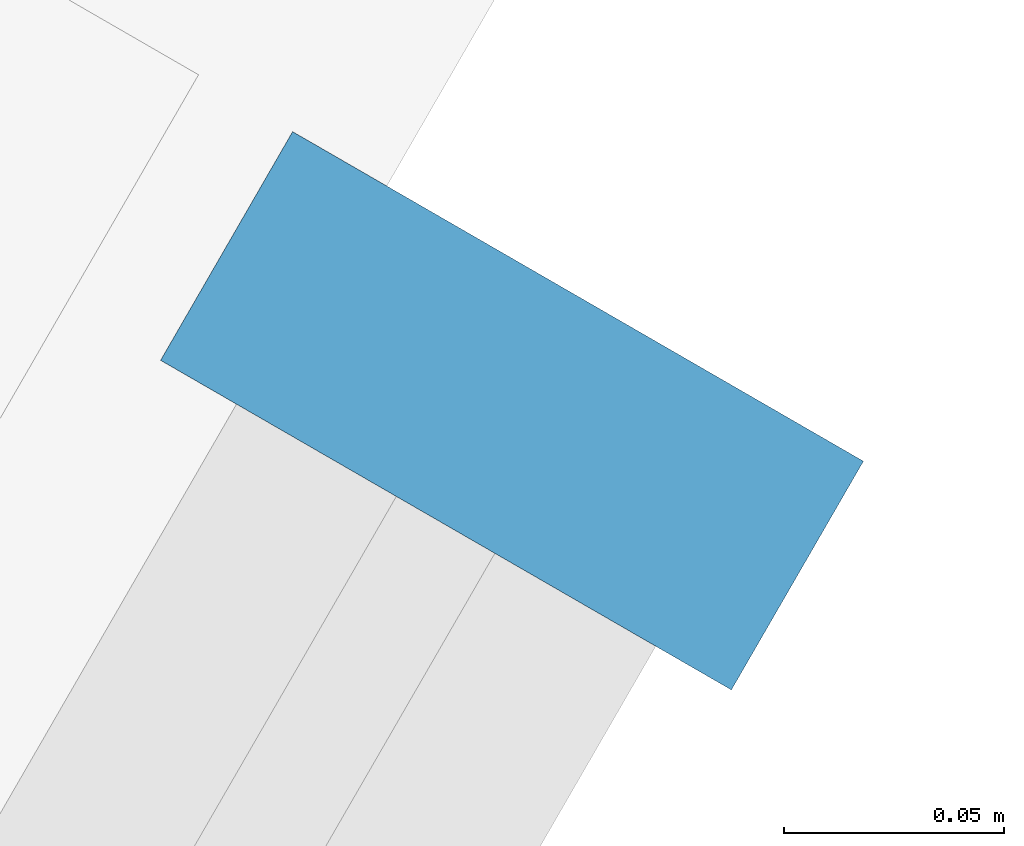
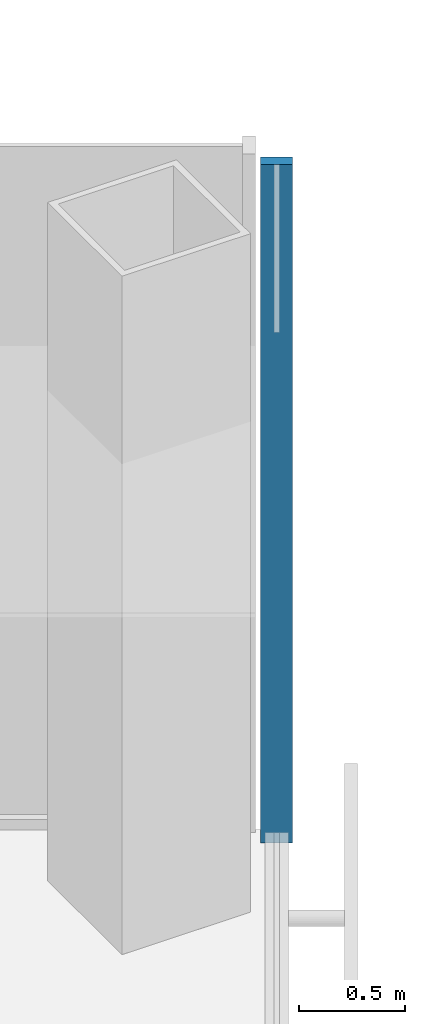
# One storey, part 9 of 18: 1 member, 1 element without a shape of its own.
"""IFC4 building model written with IfcOpenShell, lengths in metres."""

from ifc_helpers import new_model, si_unit, direction, frame, origin, origin_2d, place, context, subcontext, project, spatial, rectangle, extrude, material, material_profile, profile_set, type_object, element, aggregate, save


model = new_model("IFC4")

# Units and contexts
model_context = context("Model", 3, precision=1e-05, world=origin(), true_north=direction((0.0, 1.0)))
body_context = subcontext(model_context, "Body", "Model", "MODEL_VIEW")
ifc_project = project(units=[si_unit("LENGTHUNIT", "METRE"), si_unit("AREAUNIT", "SQUARE_METRE"), si_unit("VOLUMEUNIT", "CUBIC_METRE"), si_unit("PLANEANGLEUNIT", "RADIAN"), si_unit("MASSUNIT", "GRAM", prefix="KILO")], contexts=[model_context])

# Site, building, storey
site_placement = place(None, origin())
site = spatial("IfcSite", under=ifc_project, at=site_placement, CompositionType="ELEMENT")
building_placement = place(site_placement, origin())
building = spatial("IfcBuilding", under=site, at=building_placement, Name="Kasaneha Research Tower", CompositionType="ELEMENT")
storey_placement = place(building_placement, frame((0.0, 0.0, 176.0)))
storey = spatial("IfcBuildingStorey", under=building, at=storey_placement, Name="L44", CompositionType="ELEMENT", Elevation=176.0)

# Curtain wall, member
ifc_material_1 = material(Name="Glass and aluminium", Category="aluminium")
curtain_wall_type = type_object("IfcCurtainWallType", Name="Mid-rise office curtain wall", PredefinedType="USERDEFINED", material=ifc_material_1)
curtain_wall_placement = place(storey_placement, origin())
curtain_wall = element("IfcCurtainWall", 1, at=curtain_wall_placement, inside=storey, type_object=curtain_wall_type, Name="CW-O2 L44 run 04a", ObjectType="UNITISED CURTAIN WALL", PredefinedType="USERDEFINED")
ifc_material_2 = material(Name="Aluminium 6063-T6", Category="aluminium")
ifc_material_profile = material_profile(ifc_material_2, rectangle(XDim=0.06005859375, YDim=0.14990234375, at=origin_2d()), Name="CW-O2 mullion 60x150")
ifc_profile_set = profile_set([ifc_material_profile], Name="Aluminium 6063-T6")
member_type = type_object("IfcMemberType", Name="CW-O2 mullion", PredefinedType="MULLION", material=ifc_profile_set)
member_placement = place(storey_placement, frame((32.012939453125, -6.39306640625, 0.0), z_axis=(0.0, 0.0, 1.0), x_axis=(0.500000011442, 0.866025397178, 0.0)))
member = element("IfcMember", 2, at=member_placement, type_object=member_type, Name="CW-O2 mullion 4", PredefinedType="MULLION", context=body_context, shape_type="SweptSolid", body=[
    extrude(rectangle(XDim=0.06005859375, YDim=0.14990234375, at=origin_2d()), origin(), (0.0, 0.0, 1.0), 3.89990234375),
])
aggregate(curtain_wall, [member])

save(model, "model.ifc")
